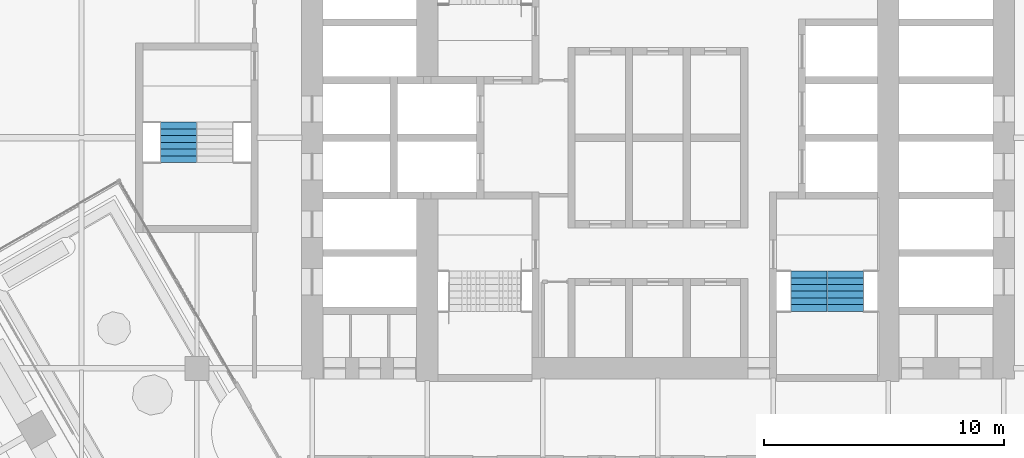
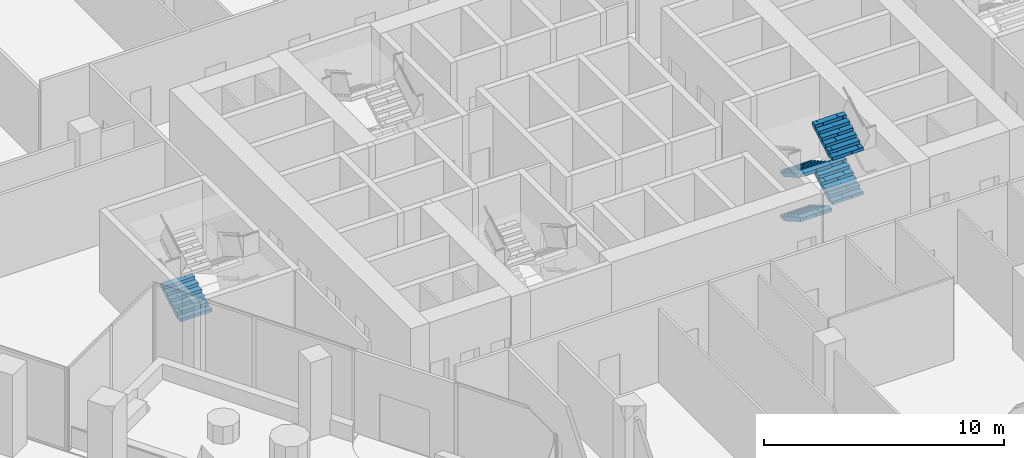
# One storey, part 21 of 27: 5 stair flights, 2 elements without a shape of their own.
"""IFC4 building model written with IfcOpenShell, lengths in metres."""

from ifc_helpers import new_model, si_unit, direction, frame, origin, place, context, subcontext, project, spatial, polyline, outline, extrude, material, type_object, element, aggregate, save


model = new_model("IFC4")

# Units and contexts
model_context = context("Model", 3, precision=1e-05, world=origin(), true_north=direction((0.0, 1.0)))
body_context = subcontext(model_context, "Body", "Model", "MODEL_VIEW")
ifc_project = project(units=[si_unit("LENGTHUNIT", "METRE"), si_unit("AREAUNIT", "SQUARE_METRE"), si_unit("VOLUMEUNIT", "CUBIC_METRE"), si_unit("PLANEANGLEUNIT", "RADIAN"), si_unit("MASSUNIT", "GRAM", prefix="KILO")], contexts=[model_context])

# Site, building, storey
site_placement = place(None, origin())
site = spatial("IfcSite", under=ifc_project, at=site_placement, CompositionType="ELEMENT")
building_placement = place(site_placement, origin())
building = spatial("IfcBuilding", under=site, at=building_placement, Name="Kolab Exchange Tower", CompositionType="ELEMENT")
storey_placement = place(building_placement, frame((0.0, 0.0, 122.89990234375)))
storey = spatial("IfcBuildingStorey", under=building, at=storey_placement, Name="L24", CompositionType="ELEMENT", Elevation=122.89990234375)

# Stair, stair flights
ifc_material = material(Name="Concrete C50/60", Category="concrete")
stair_type_1 = type_object("IfcStairType", Name="STAIR ST2 RISER 160.7", PredefinedType="DOUBLE_RETURN_STAIR", material=ifc_material)
stair_1_placement = place(storey_placement, origin())
stair_1 = element("IfcStair", 1, at=stair_1_placement, inside=storey, type_object=stair_type_1, Name="Stair 2", PredefinedType="DOUBLE_RETURN_STAIR")
stair_flight_type = type_object("IfcStairFlightType", Name="STAIR FLIGHT 1500 RISER 160.7", PredefinedType="STRAIGHT", material=ifc_material)
stair_flight_1_placement = place(storey_placement, frame((6.2900390625, -5.550048828125, 0.0), z_axis=(0.0, 0.0, 1.0), x_axis=(0.0, -1.0, 0.0)))
stair_flight_1 = element("IfcStairFlight", 2, at=stair_flight_1_placement, type_object=stair_flight_type, Name="ST2 flight 1", NumberOfRisers=7, NumberOfTreads=6, PredefinedType="STRAIGHT", RiserHeight=0.160714286, TreadLength=0.28, context=body_context, shape_type="SweptSolid", body=[
    extrude(outline(polyline([(0.0, 0.0), (0.0, 0.16064453125), (0.280029296875, 0.16064453125), (0.280029296875, 0.321533203125), (0.56005859375, 0.321533203125), (0.56005859375, 0.482177734375), (0.840087890625, 0.482177734375), (0.840087890625, 0.642822265625), (1.1201171875, 0.642822265625), (1.1201171875, 0.803466796875), (1.39990234375, 0.803466796875), (1.39990234375, 0.96435546875), (1.679931640625, 0.96435546875), (1.679931640625, 1.125), (1.679931640625, 0.79150390625), (0.301025390625, 0.0), (0.0, 0.0)])), frame((0.0, 0.75, 0.0), z_axis=(0.0, -1.0, 0.0), x_axis=(1.0, 0.0, 0.0)), (0.0, 0.0, 1.0), 0.185791015625),
    extrude(outline(polyline([(0.0, 0.0), (0.0, 0.16064453125), (0.280029296875, 0.16064453125), (0.280029296875, 0.321533203125), (0.56005859375, 0.321533203125), (0.56005859375, 0.482177734375), (0.840087890625, 0.482177734375), (0.840087890625, 0.642822265625), (1.1201171875, 0.642822265625), (1.1201171875, 0.803466796875), (1.39990234375, 0.803466796875), (1.39990234375, 0.96435546875), (1.679931640625, 0.96435546875), (1.679931640625, 1.125), (1.679931640625, 0.79150390625), (0.301025390625, 0.0), (0.0, 0.0)])), frame((0.0, 0.562255859375, 0.0), z_axis=(0.0, -1.0, 0.0), x_axis=(1.0, 0.0, 0.0)), (0.0, 0.0, 1.0), 0.185791015625),
    extrude(outline(polyline([(0.0, 0.0), (0.0, 0.16064453125), (0.280029296875, 0.16064453125), (0.280029296875, 0.321533203125), (0.56005859375, 0.321533203125), (0.56005859375, 0.482177734375), (0.840087890625, 0.482177734375), (0.840087890625, 0.642822265625), (1.1201171875, 0.642822265625), (1.1201171875, 0.803466796875), (1.39990234375, 0.803466796875), (1.39990234375, 0.96435546875), (1.679931640625, 0.96435546875), (1.679931640625, 1.125), (1.679931640625, 0.79150390625), (0.301025390625, 0.0), (0.0, 0.0)])), frame((0.0, 0.37451171875, 0.0), z_axis=(0.0, -1.0, 0.0), x_axis=(1.0, 0.0, 0.0)), (0.0, 0.0, 1.0), 0.185791015625),
    extrude(outline(polyline([(0.0, 0.0), (0.0, 0.16064453125), (0.280029296875, 0.16064453125), (0.280029296875, 0.321533203125), (0.56005859375, 0.321533203125), (0.56005859375, 0.482177734375), (0.840087890625, 0.482177734375), (0.840087890625, 0.642822265625), (1.1201171875, 0.642822265625), (1.1201171875, 0.803466796875), (1.39990234375, 0.803466796875), (1.39990234375, 0.96435546875), (1.679931640625, 0.96435546875), (1.679931640625, 1.125), (1.679931640625, 0.79150390625), (0.301025390625, 0.0), (0.0, 0.0)])), frame((0.0, 0.186767578125, 0.0), z_axis=(0.0, -1.0, 0.0), x_axis=(1.0, 0.0, 0.0)), (0.0, 0.0, 1.0), 0.185791015625),
    extrude(outline(polyline([(0.0, 0.0), (0.0, 0.16064453125), (0.280029296875, 0.16064453125), (0.280029296875, 0.321533203125), (0.56005859375, 0.321533203125), (0.56005859375, 0.482177734375), (0.840087890625, 0.482177734375), (0.840087890625, 0.642822265625), (1.1201171875, 0.642822265625), (1.1201171875, 0.803466796875), (1.39990234375, 0.803466796875), (1.39990234375, 0.96435546875), (1.679931640625, 0.96435546875), (1.679931640625, 1.125), (1.679931640625, 0.79150390625), (0.301025390625, 0.0), (0.0, 0.0)])), frame((0.0, -0.0009765625, 0.0), z_axis=(0.0, -1.0, 0.0), x_axis=(1.0, 0.0, 0.0)), (0.0, 0.0, 1.0), 0.185791015625),
    extrude(outline(polyline([(0.0, 0.0), (0.0, 0.16064453125), (0.280029296875, 0.16064453125), (0.280029296875, 0.321533203125), (0.56005859375, 0.321533203125), (0.56005859375, 0.482177734375), (0.840087890625, 0.482177734375), (0.840087890625, 0.642822265625), (1.1201171875, 0.642822265625), (1.1201171875, 0.803466796875), (1.39990234375, 0.803466796875), (1.39990234375, 0.96435546875), (1.679931640625, 0.96435546875), (1.679931640625, 1.125), (1.679931640625, 0.79150390625), (0.301025390625, 0.0), (0.0, 0.0)])), frame((0.0, -0.188720703125, 0.0), z_axis=(0.0, -1.0, 0.0), x_axis=(1.0, 0.0, 0.0)), (0.0, 0.0, 1.0), 0.185791015625),
    extrude(outline(polyline([(0.0, 0.0), (0.0, 0.16064453125), (0.280029296875, 0.16064453125), (0.280029296875, 0.321533203125), (0.56005859375, 0.321533203125), (0.56005859375, 0.482177734375), (0.840087890625, 0.482177734375), (0.840087890625, 0.642822265625), (1.1201171875, 0.642822265625), (1.1201171875, 0.803466796875), (1.39990234375, 0.803466796875), (1.39990234375, 0.96435546875), (1.679931640625, 0.96435546875), (1.679931640625, 1.125), (1.679931640625, 0.79150390625), (0.301025390625, 0.0), (0.0, 0.0)])), frame((0.0, -0.37646484375, 0.0), z_axis=(0.0, -1.0, 0.0), x_axis=(1.0, 0.0, 0.0)), (0.0, 0.0, 1.0), 0.185791015625),
    extrude(outline(polyline([(0.0, 0.0), (0.0, 0.16064453125), (0.280029296875, 0.16064453125), (0.280029296875, 0.321533203125), (0.56005859375, 0.321533203125), (0.56005859375, 0.482177734375), (0.840087890625, 0.482177734375), (0.840087890625, 0.642822265625), (1.1201171875, 0.642822265625), (1.1201171875, 0.803466796875), (1.39990234375, 0.803466796875), (1.39990234375, 0.96435546875), (1.679931640625, 0.96435546875), (1.679931640625, 1.125), (1.679931640625, 0.79150390625), (0.301025390625, 0.0), (0.0, 0.0)])), frame((0.0, -0.564208984375, 0.0), z_axis=(0.0, -1.0, 0.0), x_axis=(1.0, 0.0, 0.0)), (0.0, 0.0, 1.0), 0.185791015625),
])
stair_flight_2_placement = place(storey_placement, frame((7.81005859375, -7.22998046875, 1.125), z_axis=(0.0, 0.0, 1.0), x_axis=(0.0, 1.0, 0.0)))
stair_flight_2 = element("IfcStairFlight", 3, at=stair_flight_2_placement, type_object=stair_flight_type, Name="ST2 flight 2", NumberOfRisers=7, NumberOfTreads=6, PredefinedType="STRAIGHT", RiserHeight=0.160714286, TreadLength=0.28, context=body_context, shape_type="SweptSolid", body=[
    extrude(outline(polyline([(0.0, 0.0), (0.0, 0.16064453125), (0.280029296875, 0.16064453125), (0.280029296875, 0.321533203125), (0.56005859375, 0.321533203125), (0.56005859375, 0.482177734375), (0.840087890625, 0.482177734375), (0.840087890625, 0.642822265625), (1.1201171875, 0.642822265625), (1.1201171875, 0.803466796875), (1.39990234375, 0.803466796875), (1.39990234375, 0.96435546875), (1.679931640625, 0.96435546875), (1.679931640625, 1.125), (1.679931640625, 0.79150390625), (0.301025390625, 0.0), (0.0, 0.0)])), frame((0.0, 0.75, 0.0), z_axis=(0.0, -1.0, 0.0), x_axis=(1.0, 0.0, 0.0)), (0.0, 0.0, 1.0), 0.185791015625),
    extrude(outline(polyline([(0.0, 0.0), (0.0, 0.16064453125), (0.280029296875, 0.16064453125), (0.280029296875, 0.321533203125), (0.56005859375, 0.321533203125), (0.56005859375, 0.482177734375), (0.840087890625, 0.482177734375), (0.840087890625, 0.642822265625), (1.1201171875, 0.642822265625), (1.1201171875, 0.803466796875), (1.39990234375, 0.803466796875), (1.39990234375, 0.96435546875), (1.679931640625, 0.96435546875), (1.679931640625, 1.125), (1.679931640625, 0.79150390625), (0.301025390625, 0.0), (0.0, 0.0)])), frame((0.0, 0.562255859375, 0.0), z_axis=(0.0, -1.0, 0.0), x_axis=(1.0, 0.0, 0.0)), (0.0, 0.0, 1.0), 0.185791015625),
    extrude(outline(polyline([(0.0, 0.0), (0.0, 0.16064453125), (0.280029296875, 0.16064453125), (0.280029296875, 0.321533203125), (0.56005859375, 0.321533203125), (0.56005859375, 0.482177734375), (0.840087890625, 0.482177734375), (0.840087890625, 0.642822265625), (1.1201171875, 0.642822265625), (1.1201171875, 0.803466796875), (1.39990234375, 0.803466796875), (1.39990234375, 0.96435546875), (1.679931640625, 0.96435546875), (1.679931640625, 1.125), (1.679931640625, 0.79150390625), (0.301025390625, 0.0), (0.0, 0.0)])), frame((0.0, 0.37451171875, 0.0), z_axis=(0.0, -1.0, 0.0), x_axis=(1.0, 0.0, 0.0)), (0.0, 0.0, 1.0), 0.185791015625),
    extrude(outline(polyline([(0.0, 0.0), (0.0, 0.16064453125), (0.280029296875, 0.16064453125), (0.280029296875, 0.321533203125), (0.56005859375, 0.321533203125), (0.56005859375, 0.482177734375), (0.840087890625, 0.482177734375), (0.840087890625, 0.642822265625), (1.1201171875, 0.642822265625), (1.1201171875, 0.803466796875), (1.39990234375, 0.803466796875), (1.39990234375, 0.96435546875), (1.679931640625, 0.96435546875), (1.679931640625, 1.125), (1.679931640625, 0.79150390625), (0.301025390625, 0.0), (0.0, 0.0)])), frame((0.0, 0.186767578125, 0.0), z_axis=(0.0, -1.0, 0.0), x_axis=(1.0, 0.0, 0.0)), (0.0, 0.0, 1.0), 0.185791015625),
    extrude(outline(polyline([(0.0, 0.0), (0.0, 0.16064453125), (0.280029296875, 0.16064453125), (0.280029296875, 0.321533203125), (0.56005859375, 0.321533203125), (0.56005859375, 0.482177734375), (0.840087890625, 0.482177734375), (0.840087890625, 0.642822265625), (1.1201171875, 0.642822265625), (1.1201171875, 0.803466796875), (1.39990234375, 0.803466796875), (1.39990234375, 0.96435546875), (1.679931640625, 0.96435546875), (1.679931640625, 1.125), (1.679931640625, 0.79150390625), (0.301025390625, 0.0), (0.0, 0.0)])), frame((0.0, -0.0009765625, 0.0), z_axis=(0.0, -1.0, 0.0), x_axis=(1.0, 0.0, 0.0)), (0.0, 0.0, 1.0), 0.185791015625),
    extrude(outline(polyline([(0.0, 0.0), (0.0, 0.16064453125), (0.280029296875, 0.16064453125), (0.280029296875, 0.321533203125), (0.56005859375, 0.321533203125), (0.56005859375, 0.482177734375), (0.840087890625, 0.482177734375), (0.840087890625, 0.642822265625), (1.1201171875, 0.642822265625), (1.1201171875, 0.803466796875), (1.39990234375, 0.803466796875), (1.39990234375, 0.96435546875), (1.679931640625, 0.96435546875), (1.679931640625, 1.125), (1.679931640625, 0.79150390625), (0.301025390625, 0.0), (0.0, 0.0)])), frame((0.0, -0.188720703125, 0.0), z_axis=(0.0, -1.0, 0.0), x_axis=(1.0, 0.0, 0.0)), (0.0, 0.0, 1.0), 0.185791015625),
    extrude(outline(polyline([(0.0, 0.0), (0.0, 0.16064453125), (0.280029296875, 0.16064453125), (0.280029296875, 0.321533203125), (0.56005859375, 0.321533203125), (0.56005859375, 0.482177734375), (0.840087890625, 0.482177734375), (0.840087890625, 0.642822265625), (1.1201171875, 0.642822265625), (1.1201171875, 0.803466796875), (1.39990234375, 0.803466796875), (1.39990234375, 0.96435546875), (1.679931640625, 0.96435546875), (1.679931640625, 1.125), (1.679931640625, 0.79150390625), (0.301025390625, 0.0), (0.0, 0.0)])), frame((0.0, -0.37646484375, 0.0), z_axis=(0.0, -1.0, 0.0), x_axis=(1.0, 0.0, 0.0)), (0.0, 0.0, 1.0), 0.185791015625),
    extrude(outline(polyline([(0.0, 0.0), (0.0, 0.16064453125), (0.280029296875, 0.16064453125), (0.280029296875, 0.321533203125), (0.56005859375, 0.321533203125), (0.56005859375, 0.482177734375), (0.840087890625, 0.482177734375), (0.840087890625, 0.642822265625), (1.1201171875, 0.642822265625), (1.1201171875, 0.803466796875), (1.39990234375, 0.803466796875), (1.39990234375, 0.96435546875), (1.679931640625, 0.96435546875), (1.679931640625, 1.125), (1.679931640625, 0.79150390625), (0.301025390625, 0.0), (0.0, 0.0)])), frame((0.0, -0.564208984375, 0.0), z_axis=(0.0, -1.0, 0.0), x_axis=(1.0, 0.0, 0.0)), (0.0, 0.0, 1.0), 0.185791015625),
])
stair_flight_3_placement = place(storey_placement, frame((6.2900390625, -5.550048828125, 2.25), z_axis=(0.0, 0.0, 1.0), x_axis=(0.0, -1.0, 0.0)))
stair_flight_3 = element("IfcStairFlight", 4, at=stair_flight_3_placement, type_object=stair_flight_type, Name="ST2 flight 3", NumberOfRisers=7, NumberOfTreads=6, PredefinedType="STRAIGHT", RiserHeight=0.160714286, TreadLength=0.28, context=body_context, shape_type="SweptSolid", body=[
    extrude(outline(polyline([(0.0, 0.0), (0.0, 0.16064453125), (0.280029296875, 0.16064453125), (0.280029296875, 0.321533203125), (0.56005859375, 0.321533203125), (0.56005859375, 0.482177734375), (0.840087890625, 0.482177734375), (0.840087890625, 0.642822265625), (1.1201171875, 0.642822265625), (1.1201171875, 0.803466796875), (1.39990234375, 0.803466796875), (1.39990234375, 0.96435546875), (1.679931640625, 0.96435546875), (1.679931640625, 1.125), (1.679931640625, 0.79150390625), (0.301025390625, 0.0), (0.0, 0.0)])), frame((0.0, 0.75, 0.0), z_axis=(0.0, -1.0, 0.0), x_axis=(1.0, 0.0, 0.0)), (0.0, 0.0, 1.0), 0.185791015625),
    extrude(outline(polyline([(0.0, 0.0), (0.0, 0.16064453125), (0.280029296875, 0.16064453125), (0.280029296875, 0.321533203125), (0.56005859375, 0.321533203125), (0.56005859375, 0.482177734375), (0.840087890625, 0.482177734375), (0.840087890625, 0.642822265625), (1.1201171875, 0.642822265625), (1.1201171875, 0.803466796875), (1.39990234375, 0.803466796875), (1.39990234375, 0.96435546875), (1.679931640625, 0.96435546875), (1.679931640625, 1.125), (1.679931640625, 0.79150390625), (0.301025390625, 0.0), (0.0, 0.0)])), frame((0.0, 0.562255859375, 0.0), z_axis=(0.0, -1.0, 0.0), x_axis=(1.0, 0.0, 0.0)), (0.0, 0.0, 1.0), 0.185791015625),
    extrude(outline(polyline([(0.0, 0.0), (0.0, 0.16064453125), (0.280029296875, 0.16064453125), (0.280029296875, 0.321533203125), (0.56005859375, 0.321533203125), (0.56005859375, 0.482177734375), (0.840087890625, 0.482177734375), (0.840087890625, 0.642822265625), (1.1201171875, 0.642822265625), (1.1201171875, 0.803466796875), (1.39990234375, 0.803466796875), (1.39990234375, 0.96435546875), (1.679931640625, 0.96435546875), (1.679931640625, 1.125), (1.679931640625, 0.79150390625), (0.301025390625, 0.0), (0.0, 0.0)])), frame((0.0, 0.37451171875, 0.0), z_axis=(0.0, -1.0, 0.0), x_axis=(1.0, 0.0, 0.0)), (0.0, 0.0, 1.0), 0.185791015625),
    extrude(outline(polyline([(0.0, 0.0), (0.0, 0.16064453125), (0.280029296875, 0.16064453125), (0.280029296875, 0.321533203125), (0.56005859375, 0.321533203125), (0.56005859375, 0.482177734375), (0.840087890625, 0.482177734375), (0.840087890625, 0.642822265625), (1.1201171875, 0.642822265625), (1.1201171875, 0.803466796875), (1.39990234375, 0.803466796875), (1.39990234375, 0.96435546875), (1.679931640625, 0.96435546875), (1.679931640625, 1.125), (1.679931640625, 0.79150390625), (0.301025390625, 0.0), (0.0, 0.0)])), frame((0.0, 0.186767578125, 0.0), z_axis=(0.0, -1.0, 0.0), x_axis=(1.0, 0.0, 0.0)), (0.0, 0.0, 1.0), 0.185791015625),
    extrude(outline(polyline([(0.0, 0.0), (0.0, 0.16064453125), (0.280029296875, 0.16064453125), (0.280029296875, 0.321533203125), (0.56005859375, 0.321533203125), (0.56005859375, 0.482177734375), (0.840087890625, 0.482177734375), (0.840087890625, 0.642822265625), (1.1201171875, 0.642822265625), (1.1201171875, 0.803466796875), (1.39990234375, 0.803466796875), (1.39990234375, 0.96435546875), (1.679931640625, 0.96435546875), (1.679931640625, 1.125), (1.679931640625, 0.79150390625), (0.301025390625, 0.0), (0.0, 0.0)])), frame((0.0, -0.0009765625, 0.0), z_axis=(0.0, -1.0, 0.0), x_axis=(1.0, 0.0, 0.0)), (0.0, 0.0, 1.0), 0.185791015625),
    extrude(outline(polyline([(0.0, 0.0), (0.0, 0.16064453125), (0.280029296875, 0.16064453125), (0.280029296875, 0.321533203125), (0.56005859375, 0.321533203125), (0.56005859375, 0.482177734375), (0.840087890625, 0.482177734375), (0.840087890625, 0.642822265625), (1.1201171875, 0.642822265625), (1.1201171875, 0.803466796875), (1.39990234375, 0.803466796875), (1.39990234375, 0.96435546875), (1.679931640625, 0.96435546875), (1.679931640625, 1.125), (1.679931640625, 0.79150390625), (0.301025390625, 0.0), (0.0, 0.0)])), frame((0.0, -0.188720703125, 0.0), z_axis=(0.0, -1.0, 0.0), x_axis=(1.0, 0.0, 0.0)), (0.0, 0.0, 1.0), 0.185791015625),
    extrude(outline(polyline([(0.0, 0.0), (0.0, 0.16064453125), (0.280029296875, 0.16064453125), (0.280029296875, 0.321533203125), (0.56005859375, 0.321533203125), (0.56005859375, 0.482177734375), (0.840087890625, 0.482177734375), (0.840087890625, 0.642822265625), (1.1201171875, 0.642822265625), (1.1201171875, 0.803466796875), (1.39990234375, 0.803466796875), (1.39990234375, 0.96435546875), (1.679931640625, 0.96435546875), (1.679931640625, 1.125), (1.679931640625, 0.79150390625), (0.301025390625, 0.0), (0.0, 0.0)])), frame((0.0, -0.37646484375, 0.0), z_axis=(0.0, -1.0, 0.0), x_axis=(1.0, 0.0, 0.0)), (0.0, 0.0, 1.0), 0.185791015625),
    extrude(outline(polyline([(0.0, 0.0), (0.0, 0.16064453125), (0.280029296875, 0.16064453125), (0.280029296875, 0.321533203125), (0.56005859375, 0.321533203125), (0.56005859375, 0.482177734375), (0.840087890625, 0.482177734375), (0.840087890625, 0.642822265625), (1.1201171875, 0.642822265625), (1.1201171875, 0.803466796875), (1.39990234375, 0.803466796875), (1.39990234375, 0.96435546875), (1.679931640625, 0.96435546875), (1.679931640625, 1.125), (1.679931640625, 0.79150390625), (0.301025390625, 0.0), (0.0, 0.0)])), frame((0.0, -0.564208984375, 0.0), z_axis=(0.0, -1.0, 0.0), x_axis=(1.0, 0.0, 0.0)), (0.0, 0.0, 1.0), 0.185791015625),
])
stair_flight_4_placement = place(storey_placement, frame((7.81005859375, -7.22998046875, 3.375), z_axis=(0.0, 0.0, 1.0), x_axis=(0.0, 1.0, 0.0)))
stair_flight_4 = element("IfcStairFlight", 5, at=stair_flight_4_placement, type_object=stair_flight_type, Name="ST2 flight 4", NumberOfRisers=7, NumberOfTreads=6, PredefinedType="STRAIGHT", RiserHeight=0.160714286, TreadLength=0.28, context=body_context, shape_type="SweptSolid", body=[
    extrude(outline(polyline([(0.0, 0.0), (0.0, 0.16064453125), (0.280029296875, 0.16064453125), (0.280029296875, 0.321533203125), (0.56005859375, 0.321533203125), (0.56005859375, 0.482177734375), (0.840087890625, 0.482177734375), (0.840087890625, 0.642822265625), (1.1201171875, 0.642822265625), (1.1201171875, 0.803466796875), (1.39990234375, 0.803466796875), (1.39990234375, 0.96435546875), (1.679931640625, 0.96435546875), (1.679931640625, 1.125), (1.679931640625, 0.79150390625), (0.301025390625, 0.0), (0.0, 0.0)])), frame((0.0, 0.75, 0.0), z_axis=(0.0, -1.0, 0.0), x_axis=(1.0, 0.0, 0.0)), (0.0, 0.0, 1.0), 0.185791015625),
    extrude(outline(polyline([(0.0, 0.0), (0.0, 0.16064453125), (0.280029296875, 0.16064453125), (0.280029296875, 0.321533203125), (0.56005859375, 0.321533203125), (0.56005859375, 0.482177734375), (0.840087890625, 0.482177734375), (0.840087890625, 0.642822265625), (1.1201171875, 0.642822265625), (1.1201171875, 0.803466796875), (1.39990234375, 0.803466796875), (1.39990234375, 0.96435546875), (1.679931640625, 0.96435546875), (1.679931640625, 1.125), (1.679931640625, 0.79150390625), (0.301025390625, 0.0), (0.0, 0.0)])), frame((0.0, 0.562255859375, 0.0), z_axis=(0.0, -1.0, 0.0), x_axis=(1.0, 0.0, 0.0)), (0.0, 0.0, 1.0), 0.185791015625),
    extrude(outline(polyline([(0.0, 0.0), (0.0, 0.16064453125), (0.280029296875, 0.16064453125), (0.280029296875, 0.321533203125), (0.56005859375, 0.321533203125), (0.56005859375, 0.482177734375), (0.840087890625, 0.482177734375), (0.840087890625, 0.642822265625), (1.1201171875, 0.642822265625), (1.1201171875, 0.803466796875), (1.39990234375, 0.803466796875), (1.39990234375, 0.96435546875), (1.679931640625, 0.96435546875), (1.679931640625, 1.125), (1.679931640625, 0.79150390625), (0.301025390625, 0.0), (0.0, 0.0)])), frame((0.0, 0.37451171875, 0.0), z_axis=(0.0, -1.0, 0.0), x_axis=(1.0, 0.0, 0.0)), (0.0, 0.0, 1.0), 0.185791015625),
    extrude(outline(polyline([(0.0, 0.0), (0.0, 0.16064453125), (0.280029296875, 0.16064453125), (0.280029296875, 0.321533203125), (0.56005859375, 0.321533203125), (0.56005859375, 0.482177734375), (0.840087890625, 0.482177734375), (0.840087890625, 0.642822265625), (1.1201171875, 0.642822265625), (1.1201171875, 0.803466796875), (1.39990234375, 0.803466796875), (1.39990234375, 0.96435546875), (1.679931640625, 0.96435546875), (1.679931640625, 1.125), (1.679931640625, 0.79150390625), (0.301025390625, 0.0), (0.0, 0.0)])), frame((0.0, 0.186767578125, 0.0), z_axis=(0.0, -1.0, 0.0), x_axis=(1.0, 0.0, 0.0)), (0.0, 0.0, 1.0), 0.185791015625),
    extrude(outline(polyline([(0.0, 0.0), (0.0, 0.16064453125), (0.280029296875, 0.16064453125), (0.280029296875, 0.321533203125), (0.56005859375, 0.321533203125), (0.56005859375, 0.482177734375), (0.840087890625, 0.482177734375), (0.840087890625, 0.642822265625), (1.1201171875, 0.642822265625), (1.1201171875, 0.803466796875), (1.39990234375, 0.803466796875), (1.39990234375, 0.96435546875), (1.679931640625, 0.96435546875), (1.679931640625, 1.125), (1.679931640625, 0.79150390625), (0.301025390625, 0.0), (0.0, 0.0)])), frame((0.0, -0.0009765625, 0.0), z_axis=(0.0, -1.0, 0.0), x_axis=(1.0, 0.0, 0.0)), (0.0, 0.0, 1.0), 0.185791015625),
    extrude(outline(polyline([(0.0, 0.0), (0.0, 0.16064453125), (0.280029296875, 0.16064453125), (0.280029296875, 0.321533203125), (0.56005859375, 0.321533203125), (0.56005859375, 0.482177734375), (0.840087890625, 0.482177734375), (0.840087890625, 0.642822265625), (1.1201171875, 0.642822265625), (1.1201171875, 0.803466796875), (1.39990234375, 0.803466796875), (1.39990234375, 0.96435546875), (1.679931640625, 0.96435546875), (1.679931640625, 1.125), (1.679931640625, 0.79150390625), (0.301025390625, 0.0), (0.0, 0.0)])), frame((0.0, -0.188720703125, 0.0), z_axis=(0.0, -1.0, 0.0), x_axis=(1.0, 0.0, 0.0)), (0.0, 0.0, 1.0), 0.185791015625),
    extrude(outline(polyline([(0.0, 0.0), (0.0, 0.16064453125), (0.280029296875, 0.16064453125), (0.280029296875, 0.321533203125), (0.56005859375, 0.321533203125), (0.56005859375, 0.482177734375), (0.840087890625, 0.482177734375), (0.840087890625, 0.642822265625), (1.1201171875, 0.642822265625), (1.1201171875, 0.803466796875), (1.39990234375, 0.803466796875), (1.39990234375, 0.96435546875), (1.679931640625, 0.96435546875), (1.679931640625, 1.125), (1.679931640625, 0.79150390625), (0.301025390625, 0.0), (0.0, 0.0)])), frame((0.0, -0.37646484375, 0.0), z_axis=(0.0, -1.0, 0.0), x_axis=(1.0, 0.0, 0.0)), (0.0, 0.0, 1.0), 0.185791015625),
    extrude(outline(polyline([(0.0, 0.0), (0.0, 0.16064453125), (0.280029296875, 0.16064453125), (0.280029296875, 0.321533203125), (0.56005859375, 0.321533203125), (0.56005859375, 0.482177734375), (0.840087890625, 0.482177734375), (0.840087890625, 0.642822265625), (1.1201171875, 0.642822265625), (1.1201171875, 0.803466796875), (1.39990234375, 0.803466796875), (1.39990234375, 0.96435546875), (1.679931640625, 0.96435546875), (1.679931640625, 1.125), (1.679931640625, 0.79150390625), (0.301025390625, 0.0), (0.0, 0.0)])), frame((0.0, -0.564208984375, 0.0), z_axis=(0.0, -1.0, 0.0), x_axis=(1.0, 0.0, 0.0)), (0.0, 0.0, 1.0), 0.185791015625),
])
aggregate(stair_1, [stair_flight_1, stair_flight_2, stair_flight_3, stair_flight_4])

# Stair, stair flight
stair_type_2 = type_object("IfcStairType", Name="STAIR ST5 RISER 160.7", PredefinedType="DOUBLE_RETURN_STAIR", material=ifc_material)
stair_2_placement = place(storey_placement, origin())
stair_2 = element("IfcStair", 6, at=stair_2_placement, inside=storey, type_object=stair_type_2, Name="Stair 5", PredefinedType="DOUBLE_RETURN_STAIR")
stair_flight_5_placement = place(storey_placement, frame((-19.9599609375, -1.030029296875, 1.125), z_axis=(0.0, 0.0, 1.0), x_axis=(0.0, 1.0, 0.0)))
stair_flight_5 = element("IfcStairFlight", 7, at=stair_flight_5_placement, type_object=stair_flight_type, Name="ST5 flight 2", NumberOfRisers=7, NumberOfTreads=6, PredefinedType="STRAIGHT", RiserHeight=0.160714286, TreadLength=0.28, context=body_context, shape_type="SweptSolid", body=[
    extrude(outline(polyline([(0.0, 0.0), (0.0, 0.16064453125), (0.280029296875, 0.16064453125), (0.280029296875, 0.321533203125), (0.56005859375, 0.321533203125), (0.56005859375, 0.482177734375), (0.840087890625, 0.482177734375), (0.840087890625, 0.642822265625), (1.1201171875, 0.642822265625), (1.1201171875, 0.803466796875), (1.39990234375, 0.803466796875), (1.39990234375, 0.96435546875), (1.679931640625, 0.96435546875), (1.679931640625, 1.125), (1.679931640625, 0.79150390625), (0.301025390625, 0.0), (0.0, 0.0)])), frame((0.0, 0.75, 0.0), z_axis=(0.0, -1.0, 0.0), x_axis=(1.0, 0.0, 0.0)), (0.0, 0.0, 1.0), 0.185791015625),
    extrude(outline(polyline([(0.0, 0.0), (0.0, 0.16064453125), (0.280029296875, 0.16064453125), (0.280029296875, 0.321533203125), (0.56005859375, 0.321533203125), (0.56005859375, 0.482177734375), (0.840087890625, 0.482177734375), (0.840087890625, 0.642822265625), (1.1201171875, 0.642822265625), (1.1201171875, 0.803466796875), (1.39990234375, 0.803466796875), (1.39990234375, 0.96435546875), (1.679931640625, 0.96435546875), (1.679931640625, 1.125), (1.679931640625, 0.79150390625), (0.301025390625, 0.0), (0.0, 0.0)])), frame((0.0, 0.562255859375, 0.0), z_axis=(0.0, -1.0, 0.0), x_axis=(1.0, 0.0, 0.0)), (0.0, 0.0, 1.0), 0.185791015625),
    extrude(outline(polyline([(0.0, 0.0), (0.0, 0.16064453125), (0.280029296875, 0.16064453125), (0.280029296875, 0.321533203125), (0.56005859375, 0.321533203125), (0.56005859375, 0.482177734375), (0.840087890625, 0.482177734375), (0.840087890625, 0.642822265625), (1.1201171875, 0.642822265625), (1.1201171875, 0.803466796875), (1.39990234375, 0.803466796875), (1.39990234375, 0.96435546875), (1.679931640625, 0.96435546875), (1.679931640625, 1.125), (1.679931640625, 0.79150390625), (0.301025390625, 0.0), (0.0, 0.0)])), frame((0.0, 0.37451171875, 0.0), z_axis=(0.0, -1.0, 0.0), x_axis=(1.0, 0.0, 0.0)), (0.0, 0.0, 1.0), 0.185791015625),
    extrude(outline(polyline([(0.0, 0.0), (0.0, 0.16064453125), (0.280029296875, 0.16064453125), (0.280029296875, 0.321533203125), (0.56005859375, 0.321533203125), (0.56005859375, 0.482177734375), (0.840087890625, 0.482177734375), (0.840087890625, 0.642822265625), (1.1201171875, 0.642822265625), (1.1201171875, 0.803466796875), (1.39990234375, 0.803466796875), (1.39990234375, 0.96435546875), (1.679931640625, 0.96435546875), (1.679931640625, 1.125), (1.679931640625, 0.79150390625), (0.301025390625, 0.0), (0.0, 0.0)])), frame((0.0, 0.186767578125, 0.0), z_axis=(0.0, -1.0, 0.0), x_axis=(1.0, 0.0, 0.0)), (0.0, 0.0, 1.0), 0.185791015625),
    extrude(outline(polyline([(0.0, 0.0), (0.0, 0.16064453125), (0.280029296875, 0.16064453125), (0.280029296875, 0.321533203125), (0.56005859375, 0.321533203125), (0.56005859375, 0.482177734375), (0.840087890625, 0.482177734375), (0.840087890625, 0.642822265625), (1.1201171875, 0.642822265625), (1.1201171875, 0.803466796875), (1.39990234375, 0.803466796875), (1.39990234375, 0.96435546875), (1.679931640625, 0.96435546875), (1.679931640625, 1.125), (1.679931640625, 0.79150390625), (0.301025390625, 0.0), (0.0, 0.0)])), frame((0.0, -0.0009765625, 0.0), z_axis=(0.0, -1.0, 0.0), x_axis=(1.0, 0.0, 0.0)), (0.0, 0.0, 1.0), 0.185791015625),
    extrude(outline(polyline([(0.0, 0.0), (0.0, 0.16064453125), (0.280029296875, 0.16064453125), (0.280029296875, 0.321533203125), (0.56005859375, 0.321533203125), (0.56005859375, 0.482177734375), (0.840087890625, 0.482177734375), (0.840087890625, 0.642822265625), (1.1201171875, 0.642822265625), (1.1201171875, 0.803466796875), (1.39990234375, 0.803466796875), (1.39990234375, 0.96435546875), (1.679931640625, 0.96435546875), (1.679931640625, 1.125), (1.679931640625, 0.79150390625), (0.301025390625, 0.0), (0.0, 0.0)])), frame((0.0, -0.188720703125, 0.0), z_axis=(0.0, -1.0, 0.0), x_axis=(1.0, 0.0, 0.0)), (0.0, 0.0, 1.0), 0.185791015625),
    extrude(outline(polyline([(0.0, 0.0), (0.0, 0.16064453125), (0.280029296875, 0.16064453125), (0.280029296875, 0.321533203125), (0.56005859375, 0.321533203125), (0.56005859375, 0.482177734375), (0.840087890625, 0.482177734375), (0.840087890625, 0.642822265625), (1.1201171875, 0.642822265625), (1.1201171875, 0.803466796875), (1.39990234375, 0.803466796875), (1.39990234375, 0.96435546875), (1.679931640625, 0.96435546875), (1.679931640625, 1.125), (1.679931640625, 0.79150390625), (0.301025390625, 0.0), (0.0, 0.0)])), frame((0.0, -0.37646484375, 0.0), z_axis=(0.0, -1.0, 0.0), x_axis=(1.0, 0.0, 0.0)), (0.0, 0.0, 1.0), 0.185791015625),
    extrude(outline(polyline([(0.0, 0.0), (0.0, 0.16064453125), (0.280029296875, 0.16064453125), (0.280029296875, 0.321533203125), (0.56005859375, 0.321533203125), (0.56005859375, 0.482177734375), (0.840087890625, 0.482177734375), (0.840087890625, 0.642822265625), (1.1201171875, 0.642822265625), (1.1201171875, 0.803466796875), (1.39990234375, 0.803466796875), (1.39990234375, 0.96435546875), (1.679931640625, 0.96435546875), (1.679931640625, 1.125), (1.679931640625, 0.79150390625), (0.301025390625, 0.0), (0.0, 0.0)])), frame((0.0, -0.564208984375, 0.0), z_axis=(0.0, -1.0, 0.0), x_axis=(1.0, 0.0, 0.0)), (0.0, 0.0, 1.0), 0.185791015625),
])
aggregate(stair_2, [stair_flight_5])

save(model, "model.ifc")
